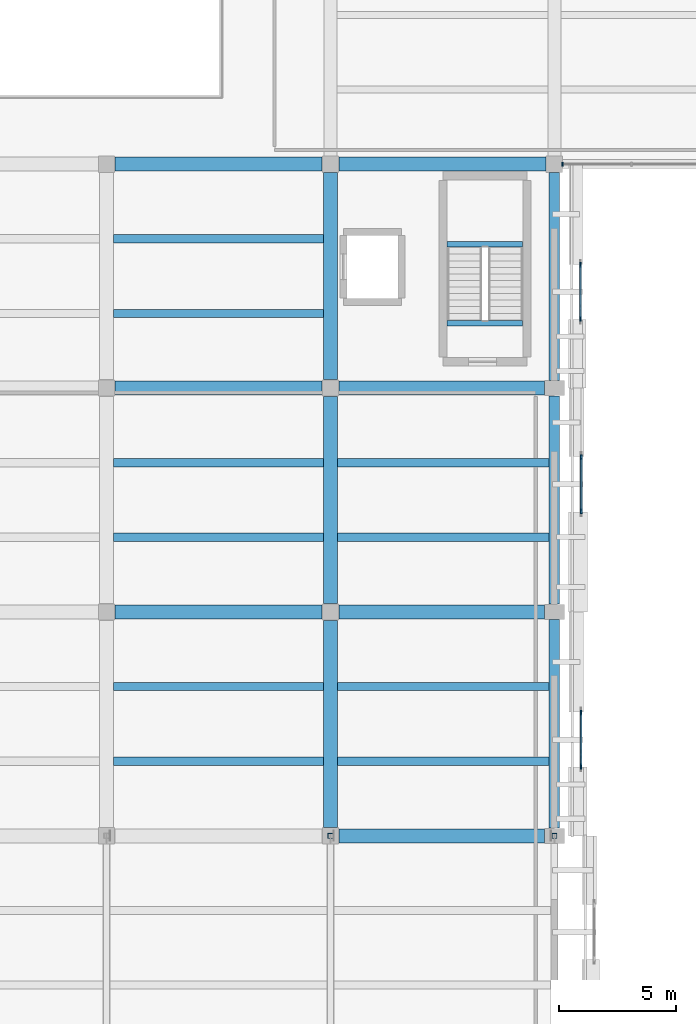
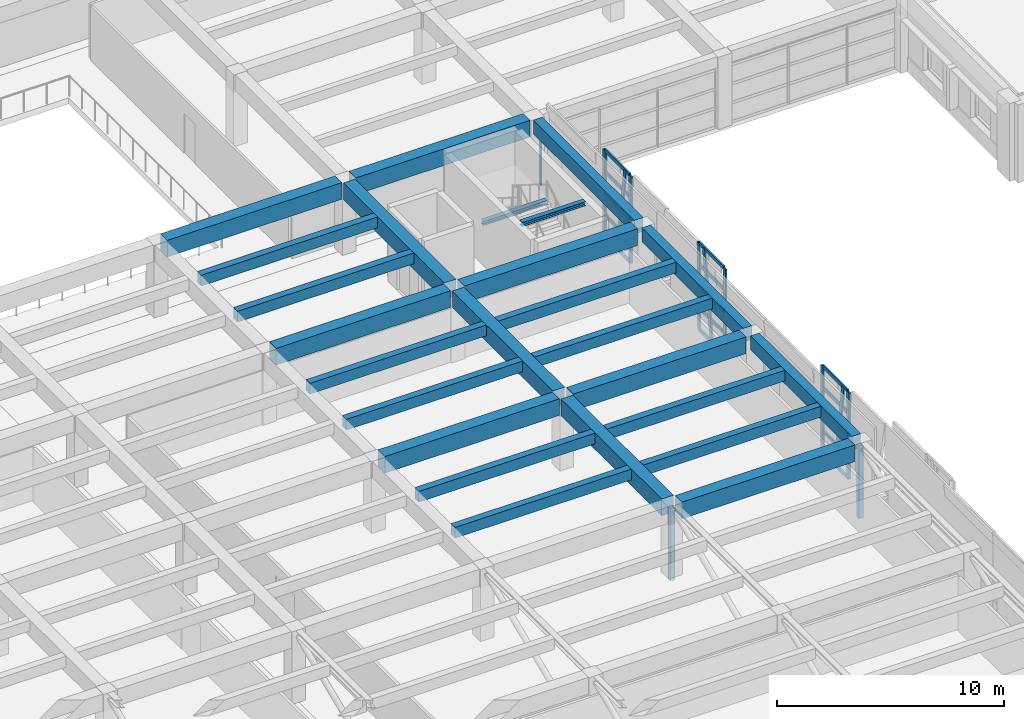
# One storey, part 18 of 62: 27 members, 25 beams, 4 elements without a shape of their own.
"""IFC4 building model written with IfcOpenShell, lengths in metres."""

from ifc_helpers import new_model, si_unit, direction, frame, origin, origin_2d, place, context, subcontext, project, spatial, rectangle, hollow_rectangle, i_section, extrude, material, layer, layer_set, material_profile, profile_set, type_object, element, aggregate, save


model = new_model("IFC4")

# Units and contexts
model_context = context("Model", 3, precision=1e-05, world=origin(), true_north=direction((0.0, 1.0)))
body_context = subcontext(model_context, "Body", "Model", "MODEL_VIEW")
ifc_project = project(units=[si_unit("LENGTHUNIT", "METRE"), si_unit("AREAUNIT", "SQUARE_METRE"), si_unit("VOLUMEUNIT", "CUBIC_METRE"), si_unit("PLANEANGLEUNIT", "RADIAN"), si_unit("MASSUNIT", "GRAM", prefix="KILO")], contexts=[model_context])

# Site, building, storey
site_placement = place(None, origin())
site = spatial("IfcSite", under=ifc_project, at=site_placement, CompositionType="ELEMENT")
building_placement = place(site_placement, origin())
building = spatial("IfcBuilding", under=site, at=building_placement, Name="Bempovik Park Faculty of Sciences", CompositionType="ELEMENT")
storey_placement = place(building_placement, frame((0.0, 0.0, 9.89990234375)))
storey = spatial("IfcBuildingStorey", under=building, at=storey_placement, Name="L02", CompositionType="ELEMENT", Elevation=9.89990234375)

# Beams
ifc_material_1 = material(Name="Steel S355", Category="steel")
ifc_material_profile_1 = material_profile(ifc_material_1, i_section(OverallWidth=0.239990234375, OverallDepth=0.22998046875, WebThickness=0.007568359375, FlangeThickness=0.011962890625, at=origin_2d()), Name="HEA 240")
ifc_profile_set_1 = profile_set([ifc_material_profile_1], Name="Steel S355")
beam_type_1 = type_object("IfcBeamType", Name="B-070 HEA 240", PredefinedType="BEAM", material=ifc_profile_set_1)
for number, where, z_axis, x_axis, name in (
    (1, (113.006103515625, 64.36865234375, 1.78515625), (1.0, 0.0, 0.0), (0.0, 1.0, 0.0), "L02 ST-5 Half-Landing Trimmer Beam"),
    (2, (113.006103515625, 60.97509765625, 3.78515625), (1.0, 0.0, 0.0), (0.0, 1.0, 0.0), "L03 ST-5 Floor Landing Trimmer Beam"),
):
    element("IfcBeam", number, at=place(storey_placement, frame(where, z_axis=z_axis, x_axis=x_axis)), inside=storey, type_object=beam_type_1, Name=name, PredefinedType="BEAM", context=body_context, shape_type="SweptSolid", body=[
        extrude(i_section(OverallWidth=0.239990234375, OverallDepth=0.22998046875, WebThickness=0.007568359375, FlangeThickness=0.011962890625, at=origin_2d()), origin(), (0.0, 0.0, 1.0), 3.23779296875),
    ])
ifc_material_2 = material(Name="Concrete C35/45", Category="concrete")
ifc_material_profile_2 = material_profile(ifc_material_2, rectangle(XDim=0.35009765625, YDim=0.580078125, at=origin_2d()), Name="RC 350x580")
ifc_profile_set_2 = profile_set([ifc_material_profile_2], Name="Concrete C35/45")
beam_type_2 = type_object("IfcBeamType", Name="B-107 RC 350x580", PredefinedType="JOIST", material=ifc_profile_set_2)
for number, where, z_axis, x_axis, name in (
    (3, (98.7060546875, 42.199951171875, 3.610107421875), (1.0, 0.0, 0.0), (0.0, 1.0, 0.0), "L02 Secondary Joist (98.4-108.0, y=42.20)"),
    (4, (98.7060546875, 45.39990234375, 3.610107421875), (1.0, 0.0, 0.0), (0.0, 1.0, 0.0), "L02 Secondary Joist (98.4-108.0, y=45.40)"),
    (5, (98.7060546875, 51.800048828125, 3.610107421875), (1.0, 0.0, 0.0), (0.0, 1.0, 0.0), "L02 Secondary Joist (98.4-108.0, y=51.80)"),
    (6, (98.7060546875, 55.0, 3.610107421875), (1.0, 0.0, 0.0), (0.0, 1.0, 0.0), "L02 Secondary Joist (98.4-108.0, y=55.00)"),
    (7, (98.7060546875, 61.39990234375, 3.610107421875), (1.0, 0.0, 0.0), (0.0, 1.0, 0.0), "L02 Secondary Joist (98.4-108.0, y=61.40)"),
    (8, (98.7060546875, 64.60009765625, 3.610107421875), (1.0, 0.0, 0.0), (0.0, 1.0, 0.0), "L02 Secondary Joist (98.4-108.0, y=64.60)"),
):
    element("IfcBeam", number, at=place(storey_placement, frame(where, z_axis=z_axis, x_axis=x_axis)), inside=storey, type_object=beam_type_2, Name=name, PredefinedType="JOIST", context=body_context, shape_type="SweptSolid", body=[
        extrude(rectangle(XDim=0.35009765625, YDim=0.580078125, at=origin_2d()), origin(), (0.0, 0.0, 1.0), 8.988037109375),
    ])
for number, where, z_axis, x_axis, name in (
    (9, (108.305908203125, 42.199951171875, 3.610107421875), (1.0, 0.0, 0.0), (0.0, 1.0, 0.0), "L02 Secondary Joist (108.0-117.6, y=42.20)"),
    (10, (108.305908203125, 45.39990234375, 3.610107421875), (1.0, 0.0, 0.0), (0.0, 1.0, 0.0), "L02 Secondary Joist (108.0-117.6, y=45.40)"),
    (11, (108.305908203125, 51.800048828125, 3.610107421875), (1.0, 0.0, 0.0), (0.0, 1.0, 0.0), "L02 Secondary Joist (108.0-117.6, y=51.80)"),
    (12, (108.305908203125, 55.0, 3.610107421875), (1.0, 0.0, 0.0), (0.0, 1.0, 0.0), "L02 Secondary Joist (108.0-117.6, y=55.00)"),
):
    element("IfcBeam", number, at=place(storey_placement, frame(where, z_axis=z_axis, x_axis=x_axis)), inside=storey, type_object=beam_type_2, Name=name, PredefinedType="JOIST", context=body_context, shape_type="SweptSolid", body=[
        extrude(rectangle(XDim=0.35009765625, YDim=0.580078125, at=origin_2d()), origin(), (0.0, 0.0, 1.0), 9.06298828125),
    ])
ifc_material_3 = material(Name="Concrete C40/50", Category="concrete")
ifc_material_profile_3 = material_profile(ifc_material_3, rectangle(XDim=0.60009765625, YDim=0.89990234375, at=origin_2d()), Name="RC 600x900")
ifc_profile_set_3 = profile_set([ifc_material_profile_3], Name="Concrete C40/50")
beam_type_3 = type_object("IfcBeamType", Name="B-115 RC 600x900", PredefinedType="BEAM", material=ifc_profile_set_3)
beam_1_placement = place(storey_placement, frame((108.35595703125, 39.0, 3.4501953125), z_axis=(1.0, 0.0, 0.0), x_axis=(0.0, 1.0, 0.0)))
element("IfcBeam", 13, at=beam_1_placement, inside=storey, type_object=beam_type_3, Name="L02 Beam X (108.0-117.6, y=39.0)", PredefinedType="BEAM", context=body_context, shape_type="SweptSolid", body=[
    extrude(rectangle(XDim=0.60009765625, YDim=0.89990234375, at=origin_2d()), origin(), (0.0, 0.0, 1.0), 8.81298828125),
])
beam_2_placement = place(storey_placement, frame((98.756103515625, 48.60009765625, 3.4501953125), z_axis=(1.0, 0.0, 0.0), x_axis=(0.0, 1.0, 0.0)))
element("IfcBeam", 14, at=beam_2_placement, inside=storey, type_object=beam_type_3, Name="L02 Beam X (98.4-108.0, y=48.6)", PredefinedType="BEAM", context=body_context, shape_type="SweptSolid", body=[
    extrude(rectangle(XDim=0.60009765625, YDim=0.89990234375, at=origin_2d()), origin(), (0.0, 0.0, 1.0), 8.887939453125),
])
beam_3_placement = place(storey_placement, frame((108.35595703125, 48.60009765625, 3.4501953125), z_axis=(1.0, 0.0, 0.0), x_axis=(0.0, 1.0, 0.0)))
element("IfcBeam", 15, at=beam_3_placement, inside=storey, type_object=beam_type_3, Name="L02 Beam X (108.0-117.6, y=48.6)", PredefinedType="BEAM", context=body_context, shape_type="SweptSolid", body=[
    extrude(rectangle(XDim=0.60009765625, YDim=0.89990234375, at=origin_2d()), origin(), (0.0, 0.0, 1.0), 8.81298828125),
])
beam_4_placement = place(storey_placement, frame((98.756103515625, 58.199951171875, 3.4501953125), z_axis=(1.0, 0.0, 0.0), x_axis=(0.0, 1.0, 0.0)))
element("IfcBeam", 16, at=beam_4_placement, inside=storey, type_object=beam_type_3, Name="L02 Beam X (98.4-108.0, y=58.2)", PredefinedType="BEAM", context=body_context, shape_type="SweptSolid", body=[
    extrude(rectangle(XDim=0.60009765625, YDim=0.89990234375, at=origin_2d()), origin(), (0.0, 0.0, 1.0), 8.887939453125),
])
beam_5_placement = place(storey_placement, frame((108.35595703125, 58.199951171875, 3.4501953125), z_axis=(1.0, 0.0, 0.0), x_axis=(0.0, 1.0, 0.0)))
element("IfcBeam", 17, at=beam_5_placement, inside=storey, type_object=beam_type_3, Name="L02 Beam X (108.0-117.6, y=58.2)", PredefinedType="BEAM", context=body_context, shape_type="SweptSolid", body=[
    extrude(rectangle(XDim=0.60009765625, YDim=0.89990234375, at=origin_2d()), origin(), (0.0, 0.0, 1.0), 8.81298828125),
])
for number, where, z_axis, x_axis, name in (
    (18, (98.756103515625, 67.800048828125, 3.4501953125), (1.0, 0.0, 0.0), (0.0, 1.0, 0.0), "L02 Beam X (98.4-108.0, y=67.8)"),
    (19, (108.35595703125, 67.800048828125, 3.4501953125), (1.0, 0.0, 0.0), (0.0, 1.0, 0.0), "L02 Beam X (108.0-117.6, y=67.8)"),
    (20, (108.0, 39.35595703125, 3.4501953125), (0.0, 1.0, 0.0), (-1.0, 0.0, 0.0), "L02 Beam Y (x=108.0, 39.0-48.6)"),
    (21, (108.0, 48.9560546875, 3.4501953125), (0.0, 1.0, 0.0), (-1.0, 0.0, 0.0), "L02 Beam Y (x=108.0, 48.6-58.2)"),
):
    element("IfcBeam", number, at=place(storey_placement, frame(where, z_axis=z_axis, x_axis=x_axis)), inside=storey, type_object=beam_type_3, Name=name, PredefinedType="BEAM", context=body_context, shape_type="SweptSolid", body=[
        extrude(rectangle(XDim=0.60009765625, YDim=0.89990234375, at=origin_2d()), origin(), (0.0, 0.0, 1.0), 8.887939453125),
    ])
beam_6_placement = place(storey_placement, frame((108.0, 58.555908203125, 3.4501953125), z_axis=(0.0, 1.0, 0.0), x_axis=(-1.0, 0.0, 0.0)))
element("IfcBeam", 22, at=beam_6_placement, inside=storey, type_object=beam_type_3, Name="L02 Beam Y (x=108.0, 58.2-67.8)", PredefinedType="BEAM", context=body_context, shape_type="SweptSolid", body=[
    extrude(rectangle(XDim=0.60009765625, YDim=0.89990234375, at=origin_2d()), origin(), (0.0, 0.0, 1.0), 8.88818359375),
])
ifc_material_profile_4 = material_profile(ifc_material_3, rectangle(XDim=0.449951171875, YDim=0.75, at=origin_2d()), Name="RC 450x750")
ifc_profile_set_4 = profile_set([ifc_material_profile_4], Name="Concrete C40/50")
beam_type_4 = type_object("IfcBeamType", Name="B-130 RC 450x750", PredefinedType="SPANDREL", material=ifc_profile_set_4)
for number, where, z_axis, x_axis, name in (
    (23, (117.60009765625, 39.3310546875, 3.525146484375), (0.0, 1.0, 0.0), (-1.0, 0.0, 0.0), "L02 Beam Y (x=117.6, 39.0-48.6)"),
    (24, (117.60009765625, 48.930908203125, 3.525146484375), (0.0, 1.0, 0.0), (-1.0, 0.0, 0.0), "L02 Beam Y (x=117.6, 48.6-58.2)"),
):
    element("IfcBeam", number, at=place(storey_placement, frame(where, z_axis=z_axis, x_axis=x_axis)), inside=storey, type_object=beam_type_4, Name=name, PredefinedType="SPANDREL", context=body_context, shape_type="SweptSolid", body=[
        extrude(rectangle(XDim=0.449951171875, YDim=0.75, at=origin_2d()), origin(), (0.0, 0.0, 1.0), 8.93798828125),
    ])
beam_7_placement = place(storey_placement, frame((117.60009765625, 58.531005859375, 3.525146484375), z_axis=(0.0, 1.0, 0.0), x_axis=(-1.0, 0.0, 0.0)))
element("IfcBeam", 25, at=beam_7_placement, inside=storey, type_object=beam_type_4, Name="L02 Beam Y (x=117.6, 58.2-67.8)", PredefinedType="SPANDREL", context=body_context, shape_type="SweptSolid", body=[
    extrude(rectangle(XDim=0.449951171875, YDim=0.75, at=origin_2d()), origin(), (0.0, 0.0, 1.0), 8.9130859375),
])

# Members
ifc_material_profile_5 = material_profile(ifc_material_1, hollow_rectangle(XDim=0.219970703125, YDim=0.219970703125, WallThickness=0.010009765625, at=origin_2d()), Name="SHS 220x220x10")
ifc_profile_set_5 = profile_set([ifc_material_profile_5], Name="Steel S355")
member_type_1 = type_object("IfcMemberType", Name="M-32 SHS 220x220x10", PredefinedType="POST", material=ifc_profile_set_5)
for number, where, z_axis, x_axis, name in (
    (26, (108.0, 39.0, -0.31396484375), (0.0, 0.0, 1.0), (1.0, 0.0, 0.0), "Cantilever Truss 6 L02 Post 5"),
    (27, (117.60009765625, 39.0, -0.31396484375), (0.0, 0.0, 1.0), (1.0, 0.0, 0.0), "Cantilever Truss 7 L02 Post 5"),
):
    element("IfcMember", number, at=place(storey_placement, frame(where, z_axis=z_axis, x_axis=x_axis)), inside=storey, type_object=member_type_1, Name=name, PredefinedType="POST", context=body_context, shape_type="SweptSolid", body=[
        extrude(hollow_rectangle(XDim=0.219970703125, YDim=0.219970703125, WallThickness=0.010009765625, at=origin_2d()), origin(), (0.0, 0.0, 1.0), 3.907958984375),
    ])

# Curtain wall, member
ifc_material_4 = material(Name="Tempered laminated low-E glass", Category="glass")
ifc_layer_1 = layer(ifc_material_4, 0.159912109375)
ifc_layer_set_1 = layer_set([ifc_layer_1], Name="Tempered laminated low-E glass")
curtain_wall_type_1 = type_object("IfcCurtainWallType", Name="CW-41 Curtain 6600x3800", PredefinedType="USERDEFINED", material=ifc_layer_set_1)
curtain_wall_1_placement = place(storey_placement, origin())
curtain_wall_1 = element("IfcCurtainWall", 28, at=curtain_wall_1_placement, inside=storey, type_object=curtain_wall_type_1, Name="L02 Unitised Curtain Wall (67.8,117.6)", ObjectType="UNITISED CURTAIN WALL", PredefinedType="USERDEFINED")
ifc_material_5 = material(Name="Anodised architectural bronze", Category="aluminium")
ifc_material_profile_6 = material_profile(ifc_material_5, rectangle(XDim=0.06494140625, YDim=0.169921875, at=origin_2d()), Name="ALU-M 65x170")
ifc_profile_set_6 = profile_set([ifc_material_profile_6], Name="Anodised architectural bronze")
member_type_2 = type_object("IfcMemberType", Name="ML-15 ALU-M 65x170", PredefinedType="MULLION", material=ifc_profile_set_6)
member_1_placement = place(storey_placement, frame((117.951904296875, 67.800048828125, 0.0), z_axis=(0.0, 0.0, 1.0), x_axis=(1.0, 0.0, 0.0)))
member_1 = element("IfcMember", 29, at=member_1_placement, type_object=member_type_2, Name="CW-BAY-L02-678-1176 Mullion 0", PredefinedType="MULLION", context=body_context, shape_type="SweptSolid", body=[
    extrude(rectangle(XDim=0.06494140625, YDim=0.169921875, at=origin_2d()), origin(), (0.0, 0.0, 1.0), 3.080078125),
])
aggregate(curtain_wall_1, [member_1])

# Curtain wall, members
ifc_layer_2 = layer(ifc_material_4, 0.159912109375)
ifc_layer_set_2 = layer_set([ifc_layer_2], Name="Tempered laminated low-E glass")
curtain_wall_type_2 = type_object("IfcCurtainWallType", Name="CW-61 Curtain 2400x4200", PredefinedType="USERDEFINED", material=ifc_layer_set_2)
curtain_wall_2_placement = place(storey_placement, origin())
curtain_wall_2 = element("IfcCurtainWall", 30, at=curtain_wall_2_placement, inside=storey, type_object=curtain_wall_type_2, Name="L02 Crystal Slantwise Light Fold (117.6,39.0)", ObjectType="UNITISED CURTAIN WALL", PredefinedType="USERDEFINED")
ifc_material_profile_7 = material_profile(ifc_material_5, rectangle(XDim=0.080078125, YDim=0.219970703125, at=origin_2d()), Name="ALU-M 80x220")
ifc_profile_set_7 = profile_set([ifc_material_profile_7], Name="Anodised architectural bronze")
member_type_3 = type_object("IfcMemberType", Name="ML-29 ALU-M 80x220", PredefinedType="MULLION", material=ifc_profile_set_7)
member_2_placement = place(storey_placement, frame((118.744384765625, 41.97509765625, -0.419921875), z_axis=(0.0, 0.0, 1.0), x_axis=(1.0, 0.0, 0.0)))
member_2 = element("IfcMember", 31, at=member_2_placement, type_object=member_type_3, Name="CW-FOLD-L02-1176-390 Mullion 0", PredefinedType="MULLION", context=body_context, shape_type="SweptSolid", body=[
    extrude(rectangle(XDim=0.080078125, YDim=0.219970703125, at=origin_2d()), origin(), (0.0, 0.0, 1.0), 4.659912109375),
])
member_3_placement = place(storey_placement, frame((118.744384765625, 43.125, -0.419921875), z_axis=(0.0, -0.144381979777, 0.989522028009), x_axis=(1.0, 0.0, 0.0)))
member_3 = element("IfcMember", 32, at=member_3_placement, type_object=member_type_3, Name="CW-FOLD-L02-1176-390 Mullion 1", PredefinedType="MULLION", context=body_context, shape_type="SweptSolid", body=[
    extrude(rectangle(XDim=0.080078125, YDim=0.219970703125, at=origin_2d()), origin(), (0.0, 0.0, 1.0), 4.709228515625),
])
member_4_placement = place(storey_placement, frame((118.744384765625, 44.27490234375, -0.419921875), z_axis=(0.0, 0.0, 1.0), x_axis=(1.0, 0.0, 0.0)))
member_4 = element("IfcMember", 33, at=member_4_placement, type_object=member_type_3, Name="CW-FOLD-L02-1176-390 Mullion 2", PredefinedType="MULLION", context=body_context, shape_type="SweptSolid", body=[
    extrude(rectangle(XDim=0.080078125, YDim=0.219970703125, at=origin_2d()), origin(), (0.0, 0.0, 1.0), 4.659912109375),
])

curtain_wall_3_placement = place(storey_placement, origin())
curtain_wall_3 = element("IfcCurtainWall", 34, at=curtain_wall_3_placement, inside=storey, type_object=curtain_wall_type_2, Name="L02 Crystal Slantwise Light Fold (117.6,48.6)", ObjectType="UNITISED CURTAIN WALL", PredefinedType="USERDEFINED")
member_5_placement = place(storey_placement, frame((118.752197265625, 52.925048828125, -0.419921875), z_axis=(0.0, 0.0, 1.0), x_axis=(1.0, 0.0, 0.0)))
member_5 = element("IfcMember", 35, at=member_5_placement, type_object=member_type_3, Name="CW-FOLD-L02-1176-486 Mullion 0", PredefinedType="MULLION", context=body_context, shape_type="SweptSolid", body=[
    extrude(rectangle(XDim=0.080078125, YDim=0.219970703125, at=origin_2d()), origin(), (0.0, 0.0, 1.0), 4.659912109375),
])
member_6_placement = place(storey_placement, frame((118.752197265625, 54.074951171875, -0.419921875), z_axis=(0.0, 0.144381979777, 0.989522028009), x_axis=(-1.0, 0.0, 0.0)))
member_6 = element("IfcMember", 36, at=member_6_placement, type_object=member_type_3, Name="CW-FOLD-L02-1176-486 Mullion 1", PredefinedType="MULLION", context=body_context, shape_type="SweptSolid", body=[
    extrude(rectangle(XDim=0.080078125, YDim=0.219970703125, at=origin_2d()), origin(), (0.0, 0.0, 1.0), 4.709228515625),
])
member_7_placement = place(storey_placement, frame((118.752197265625, 55.22509765625, -0.419921875), z_axis=(0.0, 0.0, 1.0), x_axis=(1.0, 0.0, 0.0)))
member_7 = element("IfcMember", 37, at=member_7_placement, type_object=member_type_3, Name="CW-FOLD-L02-1176-486 Mullion 2", PredefinedType="MULLION", context=body_context, shape_type="SweptSolid", body=[
    extrude(rectangle(XDim=0.080078125, YDim=0.219970703125, at=origin_2d()), origin(), (0.0, 0.0, 1.0), 4.659912109375),
])

curtain_wall_4_placement = place(storey_placement, origin())
curtain_wall_4 = element("IfcCurtainWall", 38, at=curtain_wall_4_placement, inside=storey, type_object=curtain_wall_type_2, Name="L02 Crystal Slantwise Light Fold (117.6,58.2)", ObjectType="UNITISED CURTAIN WALL", PredefinedType="USERDEFINED")
member_8_placement = place(storey_placement, frame((118.72021484375, 61.175048828125, -0.419921875), z_axis=(0.0, 0.0, 1.0), x_axis=(1.0, 0.0, 0.0)))
member_8 = element("IfcMember", 39, at=member_8_placement, type_object=member_type_3, Name="CW-FOLD-L02-1176-582 Mullion 0", PredefinedType="MULLION", context=body_context, shape_type="SweptSolid", body=[
    extrude(rectangle(XDim=0.080078125, YDim=0.219970703125, at=origin_2d()), origin(), (0.0, 0.0, 1.0), 4.659912109375),
])
member_9_placement = place(storey_placement, frame((118.72021484375, 62.324951171875, -0.419921875), z_axis=(0.0, -0.144381979777, 0.989522028009), x_axis=(1.0, 0.0, 0.0)))
member_9 = element("IfcMember", 40, at=member_9_placement, type_object=member_type_3, Name="CW-FOLD-L02-1176-582 Mullion 1", PredefinedType="MULLION", context=body_context, shape_type="SweptSolid", body=[
    extrude(rectangle(XDim=0.080078125, YDim=0.219970703125, at=origin_2d()), origin(), (0.0, 0.0, 1.0), 4.709228515625),
])
member_10_placement = place(storey_placement, frame((118.72021484375, 63.47509765625, -0.419921875), z_axis=(0.0, 0.0, 1.0), x_axis=(1.0, 0.0, 0.0)))
member_10 = element("IfcMember", 41, at=member_10_placement, type_object=member_type_3, Name="CW-FOLD-L02-1176-582 Mullion 2", PredefinedType="MULLION", context=body_context, shape_type="SweptSolid", body=[
    extrude(rectangle(XDim=0.080078125, YDim=0.219970703125, at=origin_2d()), origin(), (0.0, 0.0, 1.0), 4.659912109375),
])

# Member
ifc_material_profile_8 = material_profile(ifc_material_5, rectangle(XDim=0.080078125, YDim=0.179931640625, at=origin_2d()), Name="ALU-T 80x180")
ifc_profile_set_8 = profile_set([ifc_material_profile_8], Name="Anodised architectural bronze")
member_type_4 = type_object("IfcMemberType", Name="TR-29 ALU-T 80x180", PredefinedType="USERDEFINED", material=ifc_profile_set_8)
member_11_placement = place(storey_placement, frame((118.744384765625, 42.014892578125, -0.419921875), z_axis=(0.0, 1.0, 0.0), x_axis=(-1.0, 0.0, 0.0)))
member_11 = element("IfcMember", 42, at=member_11_placement, type_object=member_type_4, Name="CW-FOLD-L02-1176-390 Transom 0", ObjectType="TRANSOM", PredefinedType="USERDEFINED", context=body_context, shape_type="SweptSolid", body=[
    extrude(rectangle(XDim=0.080078125, YDim=0.179931640625, at=origin_2d()), origin(), (0.0, 0.0, 1.0), 2.22021484375),
])

member_12_placement = place(storey_placement, frame((118.744384765625, 42.014892578125, 0.7451171875), z_axis=(0.0, 1.0, 0.0), x_axis=(-1.0, 0.0, 0.0)))
member_12 = element("IfcMember", 43, at=member_12_placement, type_object=member_type_4, Name="CW-FOLD-L02-1176-390 Transom 1", ObjectType="TRANSOM", PredefinedType="USERDEFINED", context=body_context, shape_type="SweptSolid", body=[
    extrude(rectangle(XDim=0.080078125, YDim=0.179931640625, at=origin_2d()), origin(), (0.0, 0.0, 1.0), 2.22021484375),
])

member_13_placement = place(storey_placement, frame((118.744384765625, 42.014892578125, 1.91015625), z_axis=(0.0, 1.0, 0.0), x_axis=(-1.0, 0.0, 0.0)))
member_13 = element("IfcMember", 44, at=member_13_placement, type_object=member_type_4, Name="CW-FOLD-L02-1176-390 Transom 2", ObjectType="TRANSOM", PredefinedType="USERDEFINED", context=body_context, shape_type="SweptSolid", body=[
    extrude(rectangle(XDim=0.080078125, YDim=0.179931640625, at=origin_2d()), origin(), (0.0, 0.0, 1.0), 2.22021484375),
])

member_14_placement = place(storey_placement, frame((118.744384765625, 42.014892578125, 3.0751953125), z_axis=(0.0, 1.0, 0.0), x_axis=(-1.0, 0.0, 0.0)))
member_14 = element("IfcMember", 45, at=member_14_placement, type_object=member_type_4, Name="CW-FOLD-L02-1176-390 Transom 3", ObjectType="TRANSOM", PredefinedType="USERDEFINED", context=body_context, shape_type="SweptSolid", body=[
    extrude(rectangle(XDim=0.080078125, YDim=0.179931640625, at=origin_2d()), origin(), (0.0, 0.0, 1.0), 2.22021484375),
])

member_15_placement = place(storey_placement, frame((118.744384765625, 42.014892578125, 4.239990234375), z_axis=(0.0, 1.0, 0.0), x_axis=(-1.0, 0.0, 0.0)))
member_15 = element("IfcMember", 46, at=member_15_placement, type_object=member_type_4, Name="CW-FOLD-L02-1176-390 Transom 4", ObjectType="TRANSOM", PredefinedType="USERDEFINED", context=body_context, shape_type="SweptSolid", body=[
    extrude(rectangle(XDim=0.080078125, YDim=0.179931640625, at=origin_2d()), origin(), (0.0, 0.0, 1.0), 2.22021484375),
])

aggregate(curtain_wall_2, [member_2, member_3, member_4, member_11, member_12, member_13, member_14, member_15])

member_16_placement = place(storey_placement, frame((118.752197265625, 52.965087890625, -0.419921875), z_axis=(0.0, 1.0, 0.0), x_axis=(-1.0, 0.0, 0.0)))
member_16 = element("IfcMember", 47, at=member_16_placement, type_object=member_type_4, Name="CW-FOLD-L02-1176-486 Transom 0", ObjectType="TRANSOM", PredefinedType="USERDEFINED", context=body_context, shape_type="SweptSolid", body=[
    extrude(rectangle(XDim=0.080078125, YDim=0.179931640625, at=origin_2d()), origin(), (0.0, 0.0, 1.0), 2.219970703125),
])

member_17_placement = place(storey_placement, frame((118.752197265625, 52.965087890625, 0.7451171875), z_axis=(0.0, 1.0, 0.0), x_axis=(-1.0, 0.0, 0.0)))
member_17 = element("IfcMember", 48, at=member_17_placement, type_object=member_type_4, Name="CW-FOLD-L02-1176-486 Transom 1", ObjectType="TRANSOM", PredefinedType="USERDEFINED", context=body_context, shape_type="SweptSolid", body=[
    extrude(rectangle(XDim=0.080078125, YDim=0.179931640625, at=origin_2d()), origin(), (0.0, 0.0, 1.0), 2.219970703125),
])

member_18_placement = place(storey_placement, frame((118.752197265625, 52.965087890625, 1.91015625), z_axis=(0.0, 1.0, 0.0), x_axis=(-1.0, 0.0, 0.0)))
member_18 = element("IfcMember", 49, at=member_18_placement, type_object=member_type_4, Name="CW-FOLD-L02-1176-486 Transom 2", ObjectType="TRANSOM", PredefinedType="USERDEFINED", context=body_context, shape_type="SweptSolid", body=[
    extrude(rectangle(XDim=0.080078125, YDim=0.179931640625, at=origin_2d()), origin(), (0.0, 0.0, 1.0), 2.219970703125),
])

member_19_placement = place(storey_placement, frame((118.752197265625, 52.965087890625, 3.0751953125), z_axis=(0.0, 1.0, 0.0), x_axis=(-1.0, 0.0, 0.0)))
member_19 = element("IfcMember", 50, at=member_19_placement, type_object=member_type_4, Name="CW-FOLD-L02-1176-486 Transom 3", ObjectType="TRANSOM", PredefinedType="USERDEFINED", context=body_context, shape_type="SweptSolid", body=[
    extrude(rectangle(XDim=0.080078125, YDim=0.179931640625, at=origin_2d()), origin(), (0.0, 0.0, 1.0), 2.219970703125),
])

member_20_placement = place(storey_placement, frame((118.752197265625, 52.965087890625, 4.239990234375), z_axis=(0.0, 1.0, 0.0), x_axis=(-1.0, 0.0, 0.0)))
member_20 = element("IfcMember", 51, at=member_20_placement, type_object=member_type_4, Name="CW-FOLD-L02-1176-486 Transom 4", ObjectType="TRANSOM", PredefinedType="USERDEFINED", context=body_context, shape_type="SweptSolid", body=[
    extrude(rectangle(XDim=0.080078125, YDim=0.179931640625, at=origin_2d()), origin(), (0.0, 0.0, 1.0), 2.219970703125),
])

aggregate(curtain_wall_3, [member_5, member_6, member_7, member_16, member_17, member_18, member_19, member_20])

member_21_placement = place(storey_placement, frame((118.72021484375, 61.215087890625, -0.419921875), z_axis=(0.0, 1.0, 0.0), x_axis=(-1.0, 0.0, 0.0)))
member_21 = element("IfcMember", 52, at=member_21_placement, type_object=member_type_4, Name="CW-FOLD-L02-1176-582 Transom 0", ObjectType="TRANSOM", PredefinedType="USERDEFINED", context=body_context, shape_type="SweptSolid", body=[
    extrude(rectangle(XDim=0.080078125, YDim=0.179931640625, at=origin_2d()), origin(), (0.0, 0.0, 1.0), 2.219970703125),
])

member_22_placement = place(storey_placement, frame((118.72021484375, 61.215087890625, 0.7451171875), z_axis=(0.0, 1.0, 0.0), x_axis=(-1.0, 0.0, 0.0)))
member_22 = element("IfcMember", 53, at=member_22_placement, type_object=member_type_4, Name="CW-FOLD-L02-1176-582 Transom 1", ObjectType="TRANSOM", PredefinedType="USERDEFINED", context=body_context, shape_type="SweptSolid", body=[
    extrude(rectangle(XDim=0.080078125, YDim=0.179931640625, at=origin_2d()), origin(), (0.0, 0.0, 1.0), 2.219970703125),
])

member_23_placement = place(storey_placement, frame((118.72021484375, 61.215087890625, 1.91015625), z_axis=(0.0, 1.0, 0.0), x_axis=(-1.0, 0.0, 0.0)))
member_23 = element("IfcMember", 54, at=member_23_placement, type_object=member_type_4, Name="CW-FOLD-L02-1176-582 Transom 2", ObjectType="TRANSOM", PredefinedType="USERDEFINED", context=body_context, shape_type="SweptSolid", body=[
    extrude(rectangle(XDim=0.080078125, YDim=0.179931640625, at=origin_2d()), origin(), (0.0, 0.0, 1.0), 2.219970703125),
])

member_24_placement = place(storey_placement, frame((118.72021484375, 61.215087890625, 3.0751953125), z_axis=(0.0, 1.0, 0.0), x_axis=(-1.0, 0.0, 0.0)))
member_24 = element("IfcMember", 55, at=member_24_placement, type_object=member_type_4, Name="CW-FOLD-L02-1176-582 Transom 3", ObjectType="TRANSOM", PredefinedType="USERDEFINED", context=body_context, shape_type="SweptSolid", body=[
    extrude(rectangle(XDim=0.080078125, YDim=0.179931640625, at=origin_2d()), origin(), (0.0, 0.0, 1.0), 2.219970703125),
])

member_25_placement = place(storey_placement, frame((118.72021484375, 61.215087890625, 4.239990234375), z_axis=(0.0, 1.0, 0.0), x_axis=(-1.0, 0.0, 0.0)))
member_25 = element("IfcMember", 56, at=member_25_placement, type_object=member_type_4, Name="CW-FOLD-L02-1176-582 Transom 4", ObjectType="TRANSOM", PredefinedType="USERDEFINED", context=body_context, shape_type="SweptSolid", body=[
    extrude(rectangle(XDim=0.080078125, YDim=0.179931640625, at=origin_2d()), origin(), (0.0, 0.0, 1.0), 2.219970703125),
])

aggregate(curtain_wall_4, [member_8, member_9, member_10, member_21, member_22, member_23, member_24, member_25])

save(model, "model.ifc")
